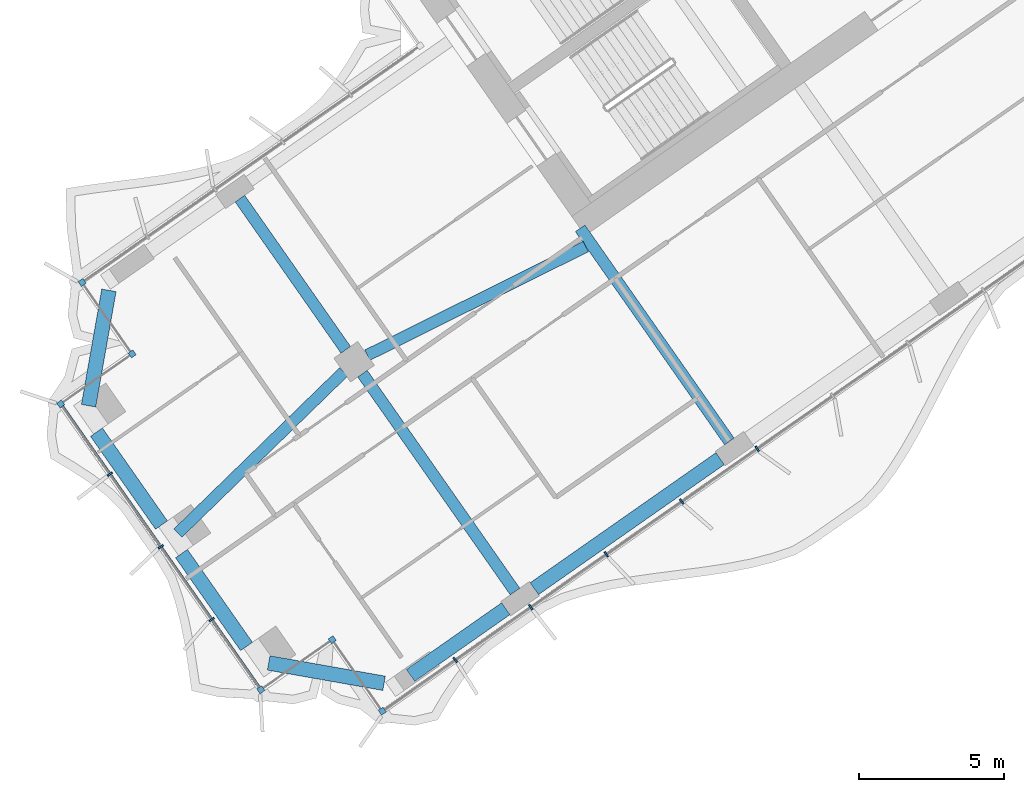
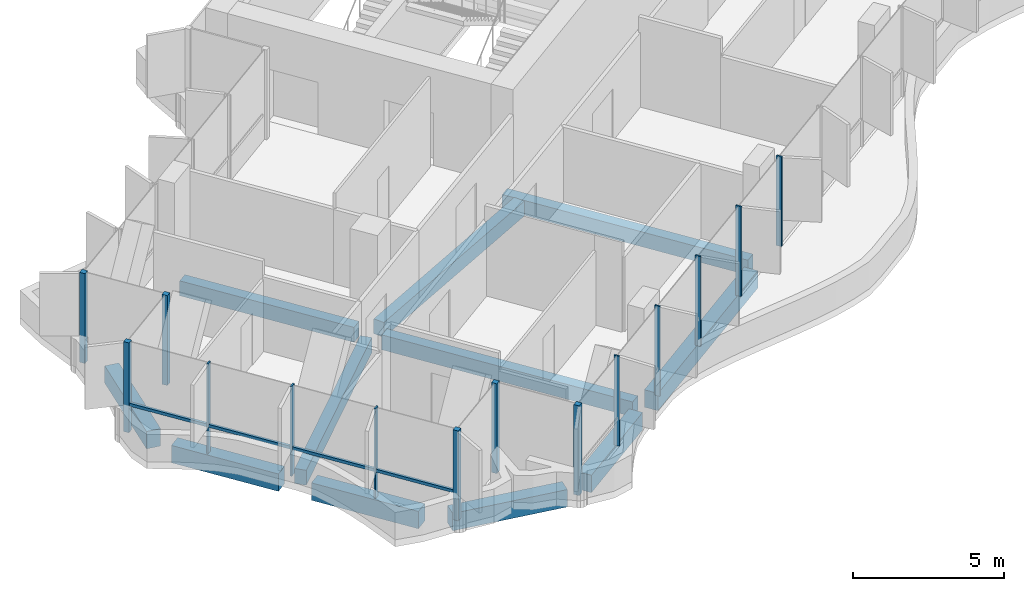
# One storey, part 2 of 21: 15 members, 11 beams, 1 element without a shape of its own.
"""IFC4 building model written with IfcOpenShell, lengths in metres."""

from ifc_helpers import new_model, si_unit, direction, frame, origin, origin_2d, place, context, subcontext, project, spatial, rectangle, extrude, material, material_profile, profile_set, type_object, element, aggregate, save


model = new_model("IFC4")

# Units and contexts
model_context = context("Model", 3, precision=1e-05, world=origin(), true_north=direction((0.0, 1.0)))
body_context = subcontext(model_context, "Body", "Model", "MODEL_VIEW")
ifc_project = project(units=[si_unit("LENGTHUNIT", "METRE"), si_unit("AREAUNIT", "SQUARE_METRE"), si_unit("VOLUMEUNIT", "CUBIC_METRE"), si_unit("PLANEANGLEUNIT", "RADIAN"), si_unit("MASSUNIT", "GRAM", prefix="KILO")], contexts=[model_context])

# Site, building, storey
site_placement = place(None, origin())
site = spatial("IfcSite", under=ifc_project, at=site_placement, CompositionType="ELEMENT")
building_placement = place(site_placement, origin())
building = spatial("IfcBuilding", under=site, at=building_placement, Name="Tel Ilan Convention Tower", CompositionType="ELEMENT")
storey_placement = place(building_placement, frame((0.0, 0.0, 163.199951171875)))
storey = spatial("IfcBuildingStorey", under=building, at=storey_placement, Name="L37", CompositionType="ELEMENT", Elevation=163.199951171875)

# Beams
ifc_material_1 = material(Name="Concrete C40/50", Category="concrete")
ifc_material_profile_1 = material_profile(ifc_material_1, rectangle(XDim=0.39990234375, YDim=0.60009765625, at=origin_2d()), Name="RC 400x600")
ifc_profile_set_1 = profile_set([ifc_material_profile_1], Name="Concrete C40/50")
beam_type_1 = type_object("IfcBeamType", Name="Beam RC 400x600 Concrete C40/50", PredefinedType="BEAM", material=ifc_profile_set_1)
beam_1_placement = place(storey_placement, frame((-16.58203125, -23.391357421875, -0.579833984375), z_axis=(-0.573584999642, 0.819146048141, 0.0), x_axis=(-0.819146048141, -0.573584999642, 0.0)))
element("IfcBeam", 1, at=beam_1_placement, inside=storey, type_object=beam_type_1, Name="L37 beam W-W-F3-core", PredefinedType="BEAM", context=body_context, shape_type="SweptSolid", body=[
    extrude(rectangle(XDim=0.39990234375, YDim=0.60009765625, at=origin_2d()), origin(), (0.0, 0.0, 1.0), 8.949951171875),
])
beam_2_placement = place(storey_placement, frame((-21.52099609375, -16.686279296875, -0.579833984375), z_axis=(-0.895402365524, -0.445257907076, 0.0), x_axis=(0.445257907076, -0.895402365524, 0.0)))
element("IfcBeam", 2, at=beam_2_placement, inside=storey, type_object=beam_type_1, Name="L37 beam W-core-W-M4", PredefinedType="BEAM", context=body_context, shape_type="SweptSolid", body=[
    extrude(rectangle(XDim=0.39990234375, YDim=0.60009765625, at=origin_2d()), origin(), (0.0, 0.0, 1.0), 8.3935546875),
])
beam_3_placement = place(storey_placement, frame((-29.8525390625, -21.001708984375, -0.579833984375), z_axis=(-0.716983836762, -0.697089791793, 0.0), x_axis=(0.697089791793, -0.716983836762, 0.0)))
element("IfcBeam", 3, at=beam_3_placement, inside=storey, type_object=beam_type_1, Name="L37 beam W-W-M4-end", PredefinedType="BEAM", context=body_context, shape_type="SweptSolid", body=[
    extrude(rectangle(XDim=0.39990234375, YDim=0.60009765625, at=origin_2d()), origin(), (0.0, 0.0, 1.0), 7.952392578125),
])
beam_4_placement = place(storey_placement, frame((-29.20263671875, -21.058349609375, -0.579833984375), z_axis=(0.573557249804, -0.819165478519, 0.0), x_axis=(0.819165478519, 0.573557249804, 0.0)))
element("IfcBeam", 4, at=beam_4_placement, inside=storey, type_object=beam_type_1, Name="L37 beam W-W-M4-W-F4", PredefinedType="BEAM", context=body_context, shape_type="SweptSolid", body=[
    extrude(rectangle(XDim=0.39990234375, YDim=0.60009765625, at=origin_2d()), origin(), (0.0, 0.0, 1.0), 9.14990234375),
])
beam_5_placement = place(storey_placement, frame((-29.7763671875, -20.2392578125, -0.579833984375), z_axis=(-0.573560394383, 0.819163276762, 0.0), x_axis=(-0.819163276762, -0.573560394383, 0.0)))
element("IfcBeam", 5, at=beam_5_placement, inside=storey, type_object=beam_type_1, Name="L37 beam W-W-M4-W-B4", PredefinedType="BEAM", context=body_context, shape_type="SweptSolid", body=[
    extrude(rectangle(XDim=0.39990234375, YDim=0.60009765625, at=origin_2d()), origin(), (0.0, 0.0, 1.0), 6.349853515625),
])
ifc_material_2 = material(Name="Concrete C40/50", Category="concrete")
ifc_material_profile_2 = material_profile(ifc_material_2, rectangle(XDim=0.5, YDim=0.699951171875, at=origin_2d()), Name="RC 500x700")
ifc_profile_set_2 = profile_set([ifc_material_profile_2], Name="Concrete C40/50")
beam_type_2 = type_object("IfcBeamType", Name="Beam RC 500x700 Concrete C40/50", PredefinedType="BEAM", material=ifc_profile_set_2)
beam_6_placement = place(storey_placement, frame((-16.901611328125, -23.981201171875, -0.6298828125), z_axis=(-0.819153977895, -0.573573674866, 0.0), x_axis=(0.573573674866, -0.819153977895, 0.0)))
element("IfcBeam", 6, at=beam_6_placement, inside=storey, type_object=beam_type_2, Name="L37 beam W-W-F3-W-F4", PredefinedType="BEAM", context=body_context, shape_type="SweptSolid", body=[
    extrude(rectangle(XDim=0.5, YDim=0.699951171875, at=origin_2d()), origin(), (0.0, 0.0, 1.0), 7.800048828125),
])
beam_7_placement = place(storey_placement, frame((-24.27392578125, -29.1435546875, -0.6298828125), z_axis=(-0.819165963305, -0.573556557423, 0.0), x_axis=(0.573556557423, -0.819165963305, 0.0)))
element("IfcBeam", 7, at=beam_7_placement, inside=storey, type_object=beam_type_2, Name="L37 beam W-W-F4-W-FC", PredefinedType="BEAM", context=body_context, shape_type="SweptSolid", body=[
    extrude(rectangle(XDim=0.5, YDim=0.699951171875, at=origin_2d()), origin(), (0.0, 0.0, 1.0), 4.0),
])
beam_8_placement = place(storey_placement, frame((-28.459716796875, -31.708251953125, -0.6298828125), z_axis=(-0.984806721117, 0.173654029734, 0.0), x_axis=(-0.173654029734, -0.984806721117, 0.0)))
element("IfcBeam", 8, at=beam_8_placement, inside=storey, type_object=beam_type_2, Name="L37 beam W-W-FC-W-E1", PredefinedType="BEAM", context=body_context, shape_type="SweptSolid", body=[
    extrude(rectangle(XDim=0.5, YDim=0.699951171875, at=origin_2d()), origin(), (0.0, 0.0, 1.0), 4.03076171875),
])
for number, where, z_axis, x_axis, name in (
    (9, (-33.19091796875, -30.443115234375, -0.6298828125), (-0.573609383536, 0.819128973434, 0.0), (-0.819128973434, -0.573609383536, 0.0), "L37 beam W-W-E1-W-E2"),
    (10, (-36.1162109375, -26.265380859375, -0.6298828125), (-0.573609383536, 0.819128973434, 0.0), (-0.819128973434, -0.573609383536, 0.0), "L37 beam W-W-E2-W-E3"),
):
    element("IfcBeam", number, at=place(storey_placement, frame(where, z_axis=z_axis, x_axis=x_axis)), inside=storey, type_object=beam_type_2, Name=name, PredefinedType="BEAM", context=body_context, shape_type="SweptSolid", body=[
        extrude(rectangle(XDim=0.5, YDim=0.699951171875, at=origin_2d()), origin(), (0.0, 0.0, 1.0), 3.89990234375),
    ])
beam_9_placement = place(storey_placement, frame((-38.623779296875, -22.16162109375, -0.6298828125), z_axis=(0.173654029734, 0.984806721117, 0.0), x_axis=(-0.984806721117, 0.173654029734, 0.0)))
element("IfcBeam", 11, at=beam_9_placement, inside=storey, type_object=beam_type_2, Name="L37 beam W-W-E3-W-BC", PredefinedType="BEAM", context=body_context, shape_type="SweptSolid", body=[
    extrude(rectangle(XDim=0.5, YDim=0.699951171875, at=origin_2d()), origin(), (0.0, 0.0, 1.0), 4.03076171875),
])

# Curtain wall, members
ifc_material_3 = material(Name="Aluminium, bronze anodised", Category="aluminium")
curtain_wall_type = type_object("IfcCurtainWallType", Name="CW4 STICK CURTAIN WALL, OFFICE TINTED GLASS", PredefinedType="NOTDEFINED", material=ifc_material_3)
curtain_wall_placement = place(storey_placement, origin())
curtain_wall = element("IfcCurtainWall", 12, at=curtain_wall_placement, inside=storey, type_object=curtain_wall_type, Name="Curtain wall CW4-29.02", PredefinedType="NOTDEFINED")
ifc_material_4 = material(Name="Aluminium, bronze anodised", Category="aluminium")
ifc_material_profile_3 = material_profile(ifc_material_4, rectangle(XDim=0.199951171875, YDim=0.199951171875, at=origin_2d()), Name="CW CORNER MULLION 200x200")
ifc_profile_set_3 = profile_set([ifc_material_profile_3], Name="Aluminium, bronze anodised")
member_type_1 = type_object("IfcMemberType", Name="CW CORNER MULLION 200x200", PredefinedType="MULLION", material=ifc_profile_set_3)
member_1_placement = place(storey_placement, frame((-38.845458984375, -17.922119140625, 0.0), z_axis=(0.0, 0.0, 1.0), x_axis=(-0.819152044289, -0.573576436351, 0.0)))
member_1 = element("IfcMember", 13, at=member_1_placement, type_object=member_type_1, Name="Corner mullion", PredefinedType="MULLION", context=body_context, shape_type="SweptSolid", body=[
    extrude(rectangle(XDim=0.199951171875, YDim=0.199951171875, at=origin_2d()), origin(), (0.0, 0.0, 1.0), 3.6201171875),
])
member_2_placement = place(storey_placement, frame((-37.124755859375, -20.37939453125, 0.0), z_axis=(0.0, 0.0, 1.0), x_axis=(0.573576436351, -0.819152044289, 0.0)))
member_2 = element("IfcMember", 14, at=member_2_placement, type_object=member_type_1, Name="Corner mullion", PredefinedType="MULLION", context=body_context, shape_type="SweptSolid", body=[
    extrude(rectangle(XDim=0.199951171875, YDim=0.199951171875, at=origin_2d()), origin(), (0.0, 0.0, 1.0), 3.6201171875),
])
member_3_placement = place(storey_placement, frame((-39.582275390625, -22.10009765625, 0.0), z_axis=(0.0, 0.0, 1.0), x_axis=(-0.819152044289, -0.573576436351, 0.0)))
member_3 = element("IfcMember", 15, at=member_3_placement, type_object=member_type_1, Name="Corner mullion", PredefinedType="MULLION", context=body_context, shape_type="SweptSolid", body=[
    extrude(rectangle(XDim=0.199951171875, YDim=0.199951171875, at=origin_2d()), origin(), (0.0, 0.0, 1.0), 3.6201171875),
])
member_4_placement = place(storey_placement, frame((-32.69921875, -31.929931640625, 0.0), z_axis=(0.0, 0.0, 1.0), x_axis=(0.573576436351, -0.819152044289, 0.0)))
member_4 = element("IfcMember", 16, at=member_4_placement, type_object=member_type_1, Name="Corner mullion", PredefinedType="MULLION", context=body_context, shape_type="SweptSolid", body=[
    extrude(rectangle(XDim=0.199951171875, YDim=0.199951171875, at=origin_2d()), origin(), (0.0, 0.0, 1.0), 3.6201171875),
])
member_5_placement = place(storey_placement, frame((-30.241943359375, -30.209228515625, 0.0), z_axis=(0.0, 0.0, 1.0), x_axis=(0.819152044289, 0.573576436351, 0.0)))
member_5 = element("IfcMember", 17, at=member_5_placement, type_object=member_type_1, Name="Corner mullion", PredefinedType="MULLION", context=body_context, shape_type="SweptSolid", body=[
    extrude(rectangle(XDim=0.199951171875, YDim=0.199951171875, at=origin_2d()), origin(), (0.0, 0.0, 1.0), 3.6201171875),
])
member_6_placement = place(storey_placement, frame((-28.52099609375, -32.666748046875, 0.0), z_axis=(0.0, 0.0, 1.0), x_axis=(0.573576436351, -0.819152044289, 0.0)))
member_6 = element("IfcMember", 18, at=member_6_placement, type_object=member_type_1, Name="Corner mullion", PredefinedType="MULLION", context=body_context, shape_type="SweptSolid", body=[
    extrude(rectangle(XDim=0.199951171875, YDim=0.199951171875, at=origin_2d()), origin(), (0.0, 0.0, 1.0), 3.6201171875),
])
ifc_material_5 = material(Name="Aluminium, bronze anodised", Category="aluminium")
ifc_material_profile_4 = material_profile(ifc_material_5, rectangle(XDim=0.06005859375, YDim=0.199951171875, at=origin_2d()), Name="CW MULLION 60x200")
ifc_profile_set_4 = profile_set([ifc_material_profile_4], Name="Aluminium, bronze anodised")
member_type_2 = type_object("IfcMemberType", Name="CW MULLION 60x200", PredefinedType="MULLION", material=ifc_profile_set_4)
member_7_placement = place(storey_placement, frame((-37.89013671875, -24.5166015625, 0.0), z_axis=(0.0, 0.0, 1.0), x_axis=(0.573576436351, -0.819152044289, 0.0)))
member_7 = element("IfcMember", 19, at=member_7_placement, type_object=member_type_2, Name="Mullion", PredefinedType="MULLION", context=body_context, shape_type="SweptSolid", body=[
    extrude(rectangle(XDim=0.06005859375, YDim=0.199951171875, at=origin_2d()), origin(), (0.0, 0.0, 1.0), 3.6201171875),
])
member_8_placement = place(storey_placement, frame((-36.140869140625, -27.01513671875, 0.0), z_axis=(0.0, 0.0, 1.0), x_axis=(0.573576436351, -0.819152044289, 0.0)))
member_8 = element("IfcMember", 20, at=member_8_placement, type_object=member_type_2, Name="Mullion", PredefinedType="MULLION", context=body_context, shape_type="SweptSolid", body=[
    extrude(rectangle(XDim=0.06005859375, YDim=0.199951171875, at=origin_2d()), origin(), (0.0, 0.0, 1.0), 3.6201171875),
])
member_9_placement = place(storey_placement, frame((-34.391357421875, -29.513427734375, 0.0), z_axis=(0.0, 0.0, 1.0), x_axis=(0.573576436351, -0.819152044289, 0.0)))
member_9 = element("IfcMember", 21, at=member_9_placement, type_object=member_type_2, Name="Mullion", PredefinedType="MULLION", context=body_context, shape_type="SweptSolid", body=[
    extrude(rectangle(XDim=0.06005859375, YDim=0.199951171875, at=origin_2d()), origin(), (0.0, 0.0, 1.0), 3.6201171875),
])
member_10_placement = place(storey_placement, frame((-26.008056640625, -30.906982421875, 0.0), z_axis=(0.0, 0.0, 1.0), x_axis=(0.819152044289, 0.573576436351, 0.0)))
member_10 = element("IfcMember", 22, at=member_10_placement, type_object=member_type_2, Name="Mullion", PredefinedType="MULLION", context=body_context, shape_type="SweptSolid", body=[
    extrude(rectangle(XDim=0.06005859375, YDim=0.199951171875, at=origin_2d()), origin(), (0.0, 0.0, 1.0), 3.6201171875),
])
member_11_placement = place(storey_placement, frame((-23.412841796875, -29.08984375, 0.0), z_axis=(0.0, 0.0, 1.0), x_axis=(0.819152044289, 0.573576436351, 0.0)))
member_11 = element("IfcMember", 23, at=member_11_placement, type_object=member_type_2, Name="Mullion", PredefinedType="MULLION", context=body_context, shape_type="SweptSolid", body=[
    extrude(rectangle(XDim=0.06005859375, YDim=0.199951171875, at=origin_2d()), origin(), (0.0, 0.0, 1.0), 3.6201171875),
])
member_12_placement = place(storey_placement, frame((-20.81787109375, -27.27294921875, 0.0), z_axis=(0.0, 0.0, 1.0), x_axis=(0.819152044289, 0.573576436351, 0.0)))
member_12 = element("IfcMember", 24, at=member_12_placement, type_object=member_type_2, Name="Mullion", PredefinedType="MULLION", context=body_context, shape_type="SweptSolid", body=[
    extrude(rectangle(XDim=0.06005859375, YDim=0.199951171875, at=origin_2d()), origin(), (0.0, 0.0, 1.0), 3.6201171875),
])
member_13_placement = place(storey_placement, frame((-18.222900390625, -25.455810546875, 0.0), z_axis=(0.0, 0.0, 1.0), x_axis=(0.819152044289, 0.573576436351, 0.0)))
member_13 = element("IfcMember", 25, at=member_13_placement, type_object=member_type_2, Name="Mullion", PredefinedType="MULLION", context=body_context, shape_type="SweptSolid", body=[
    extrude(rectangle(XDim=0.06005859375, YDim=0.199951171875, at=origin_2d()), origin(), (0.0, 0.0, 1.0), 3.6201171875),
])
member_14_placement = place(storey_placement, frame((-15.627685546875, -23.638671875, 0.0), z_axis=(0.0, 0.0, 1.0), x_axis=(0.819152044289, 0.573576436351, 0.0)))
member_14 = element("IfcMember", 26, at=member_14_placement, type_object=member_type_2, Name="Mullion", PredefinedType="MULLION", context=body_context, shape_type="SweptSolid", body=[
    extrude(rectangle(XDim=0.06005859375, YDim=0.199951171875, at=origin_2d()), origin(), (0.0, 0.0, 1.0), 3.6201171875),
])
ifc_material_6 = material(Name="Aluminium, bronze anodised", Category="aluminium")
ifc_material_profile_5 = material_profile(ifc_material_6, rectangle(XDim=0.10009765625, YDim=0.1201171875, at=origin_2d()), Name="CW TRANSOM 100x120")
ifc_profile_set_5 = profile_set([ifc_material_profile_5], Name="Aluminium, bronze anodised")
member_type_3 = type_object("IfcMemberType", Name="CW TRANSOM 100x120", PredefinedType="USERDEFINED", material=ifc_profile_set_5)
member_15_placement = place(storey_placement, frame((-39.52490234375, -22.18212890625, 1.10009765625), z_axis=(0.573581755582, -0.819148319698, 0.0), x_axis=(0.819148319698, 0.573581755582, 0.0)))
member_15 = element("IfcMember", 27, at=member_15_placement, type_object=member_type_3, Name="Transom", ObjectType="TRANSOM", PredefinedType="USERDEFINED", context=body_context, shape_type="SweptSolid", body=[
    extrude(rectangle(XDim=0.10009765625, YDim=0.1201171875, at=origin_2d()), origin(), (0.0, 0.0, 1.0), 11.800048828125),
])
aggregate(curtain_wall, [member_1, member_2, member_3, member_7, member_8, member_9, member_4, member_15, member_5, member_6, member_10, member_11, member_12, member_13, member_14])

save(model, "model.ifc")
